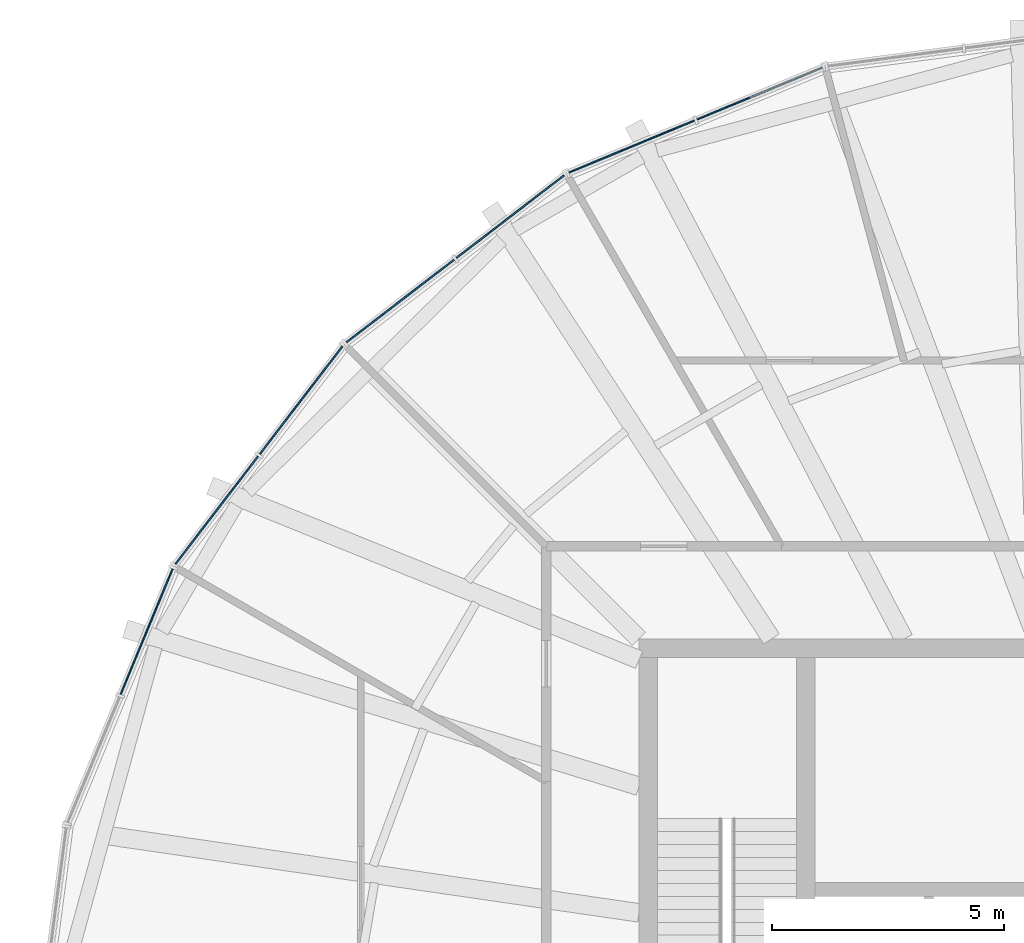
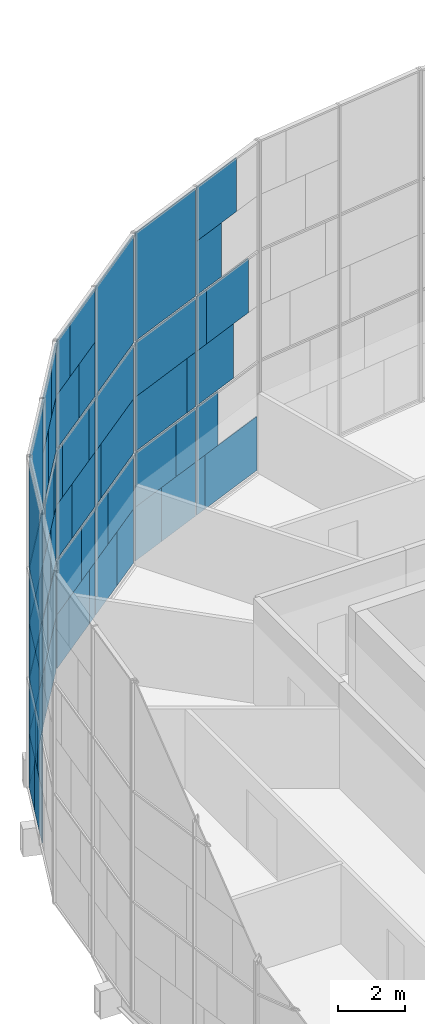
# One storey, part 16 of 23: 66 plates, 4 elements without a shape of their own.
"""IFC4 building model written with IfcOpenShell, lengths in metres."""

from ifc_helpers import new_model, si_unit, direction, frame, origin, origin_2d, place, context, subcontext, project, spatial, rectangle, extrude, material, layer, layer_set, type_object, element, aggregate, save


model = new_model("IFC4")

# Units and contexts
model_context = context("Model", 3, precision=1e-05, world=origin(), true_north=direction((0.0, 1.0)))
body_context = subcontext(model_context, "Body", "Model", "MODEL_VIEW")
ifc_project = project(units=[si_unit("LENGTHUNIT", "METRE"), si_unit("AREAUNIT", "SQUARE_METRE"), si_unit("VOLUMEUNIT", "CUBIC_METRE"), si_unit("PLANEANGLEUNIT", "RADIAN"), si_unit("MASSUNIT", "GRAM", prefix="KILO")], contexts=[model_context])

# Site, building, storey
site_placement = place(None, origin())
site = spatial("IfcSite", under=ifc_project, at=site_placement, CompositionType="ELEMENT")
building_placement = place(site_placement, origin())
building = spatial("IfcBuilding", under=site, at=building_placement, Name="Golbaran Civic Tower", CompositionType="ELEMENT")
storey_placement = place(building_placement, frame((0.0, 0.0, 220.0)))
storey = spatial("IfcBuildingStorey", under=building, at=storey_placement, Name="L53", CompositionType="ELEMENT", Elevation=220.0)

# Curtain wall, plates
ifc_material_1 = material(Name="Aluminium and glass", Category="aluminium")
curtain_wall_type = type_object("IfcCurtainWallType", Name="INNER SKIN CURTAIN WALL EXECUTIVE", PredefinedType="NOTDEFINED", material=ifc_material_1)
curtain_wall_1_placement = place(storey_placement, origin())
curtain_wall_1 = element("IfcCurtainWall", 1, at=curtain_wall_1_placement, inside=storey, type_object=curtain_wall_type, Name="Inner skin L53 facet 8 CW2", ObjectType="INNER SKIN", PredefinedType="USERDEFINED")
ifc_material_2 = material(Name="Clear insulating glass", Category="glass")
ifc_layer_1 = layer(ifc_material_2, 0.031982421875, Name="Clear insulating glass")
ifc_layer_set_1 = layer_set([ifc_layer_1], Name="Clear insulating glass")
plate_type_1 = type_object("IfcPlateType", Name="INNER SKIN CURTAIN WALL EXECUTIVE GLAZED PANEL", PredefinedType="CURTAIN_PANEL", material=ifc_layer_set_1)
plate_1_placement = place(storey_placement, frame((-7.210693359375, 21.839111328125, 0.06005859375), z_axis=(0.0, 0.0, 1.0), x_axis=(-0.923879532531, -0.382683432317, 0.0)))
plate_1 = element("IfcPlate", 2, at=plate_1_placement, type_object=plate_type_1, Name="CW2 panel 1.1 part 1", PredefinedType="CURTAIN_PANEL", context=body_context, shape_type="SweptSolid", body=[
    extrude(rectangle(XDim=2.528076171875, YDim=0.031982421875, at=origin_2d()), origin(), (0.0, 0.0, 1.0), 1.955078125),
])
plate_2_placement = place(storey_placement, frame((-8.533203125, 21.291259765625, 6.0), z_axis=(0.0, 0.0, 1.0), x_axis=(-0.923879532531, -0.382683432317, 0.0)))
plate_2 = element("IfcPlate", 3, at=plate_2_placement, type_object=plate_type_1, Name="CW2 panel 1.2 part 5", PredefinedType="CURTAIN_PANEL", context=body_context, shape_type="SweptSolid", body=[
    extrude(rectangle(XDim=0.468505859375, YDim=0.031982421875, at=origin_2d()), origin(), (0.0, 0.0, 1.0), 1.969970703125),
])
plate_3_placement = place(storey_placement, frame((-8.1865234375, 21.434814453125, 8.030029296875), z_axis=(0.0, 0.0, 1.0), x_axis=(-0.923879532531, -0.382683432317, 0.0)))
plate_3 = element("IfcPlate", 4, at=plate_3_placement, type_object=plate_type_1, Name="CW2 panel 1.3 part 2", PredefinedType="CURTAIN_PANEL", context=body_context, shape_type="SweptSolid", body=[
    extrude(rectangle(XDim=1.218505859375, YDim=0.031982421875, at=origin_2d()), origin(), (0.0, 0.0, 1.0), 1.955078125),
])
plate_4_placement = place(storey_placement, frame((-7.8525390625, 21.5732421875, 9.98486328125), z_axis=(0.0, 0.0, 1.0), x_axis=(-0.923879532531, -0.382683432317, 0.0)))
plate_4 = element("IfcPlate", 5, at=plate_4_placement, type_object=plate_type_1, Name="CW2 panel 1.3 part 4", PredefinedType="CURTAIN_PANEL", context=body_context, shape_type="SweptSolid", body=[
    extrude(rectangle(XDim=1.941650390625, YDim=0.031982421875, at=origin_2d()), origin(), (0.0, 0.0, 1.0), 1.955078125),
])
plate_5_placement = place(storey_placement, frame((-10.927490234375, 20.299560546875, 0.06005859375), z_axis=(0.0, 0.0, 1.0), x_axis=(-0.923879532531, -0.382683432317, 0.0)))
plate_5 = element("IfcPlate", 6, at=plate_5_placement, type_object=plate_type_1, Name="CW2 panel 2.1 part 2", PredefinedType="CURTAIN_PANEL", context=body_context, shape_type="SweptSolid", body=[
    extrude(rectangle(XDim=1.2646484375, YDim=0.031982421875, at=origin_2d()), origin(), (0.0, 0.0, 1.0), 1.955078125),
])
plate_6_placement = place(storey_placement, frame((-10.593994140625, 20.437744140625, 2.014892578125), z_axis=(0.0, 0.0, 1.0), x_axis=(-0.923879532531, -0.382683432317, 0.0)))
plate_6 = element("IfcPlate", 7, at=plate_6_placement, type_object=plate_type_1, Name="CW2 panel 2.1 part 4", PredefinedType="CURTAIN_PANEL", context=body_context, shape_type="SweptSolid", body=[
    extrude(rectangle(XDim=1.986572265625, YDim=0.031982421875, at=origin_2d()), origin(), (0.0, 0.0, 1.0), 1.955078125),
])
plate_7_placement = place(storey_placement, frame((-10.343505859375, 20.54150390625, 4.02978515625), z_axis=(0.0, 0.0, 1.0), x_axis=(-0.923879532531, -0.382683432317, 0.0)))
plate_7 = element("IfcPlate", 8, at=plate_7_placement, type_object=plate_type_1, Name="CW2 panel 2.2 part 2", PredefinedType="CURTAIN_PANEL", context=body_context, shape_type="SweptSolid", body=[
    extrude(rectangle(XDim=2.528564453125, YDim=0.031982421875, at=origin_2d()), origin(), (0.0, 0.0, 1.0), 1.969970703125),
])
plate_8_placement = place(storey_placement, frame((-10.158203125, 20.6181640625, 6.0), z_axis=(0.0, 0.0, 1.0), x_axis=(-0.923879532531, -0.382683432317, 0.0)))
plate_8 = element("IfcPlate", 9, at=plate_8_placement, type_object=plate_type_1, Name="CW2 panel 2.2 part 3", PredefinedType="CURTAIN_PANEL", context=body_context, shape_type="SweptSolid", body=[
    extrude(rectangle(XDim=2.9296875, YDim=0.031982421875, at=origin_2d()), origin(), (0.0, 0.0, 1.0), 1.969970703125),
])
plate_9_placement = place(storey_placement, frame((-10.158203125, 20.6181640625, 8.0302734375), z_axis=(0.0, 0.0, 1.0), x_axis=(-0.923879532531, -0.382683432317, 0.0)))
plate_9 = element("IfcPlate", 10, at=plate_9_placement, type_object=plate_type_1, Name="CW2 panel 2.3", PredefinedType="CURTAIN_PANEL", context=body_context, shape_type="SweptSolid", body=[
    extrude(rectangle(XDim=2.9296875, YDim=0.031982421875, at=origin_2d()), origin(), (0.0, 0.0, 1.0), 3.909912109375),
])

curtain_wall_2_placement = place(storey_placement, origin())
curtain_wall_2 = element("IfcCurtainWall", 11, at=curtain_wall_2_placement, inside=storey, type_object=curtain_wall_type, Name="Inner skin L53 facet 9 CW2", ObjectType="INNER SKIN", PredefinedType="USERDEFINED")
plate_10_placement = place(storey_placement, frame((-12.115966796875, 19.61328125, 0.06005859375), z_axis=(0.0, 0.0, 1.0), x_axis=(-0.793353340312, -0.608761428981, 0.0)))
plate_10 = element("IfcPlate", 12, at=plate_10_placement, type_object=plate_type_1, Name="CW2 panel 1.1 part 1", PredefinedType="CURTAIN_PANEL", context=body_context, shape_type="SweptSolid", body=[
    extrude(rectangle(XDim=1.263916015625, YDim=0.031982421875, at=origin_2d()), origin(), (0.0, 0.0, 1.0), 1.955078125),
])
plate_11_placement = place(storey_placement, frame((-12.40283203125, 19.393310546875, 2.014892578125), z_axis=(0.0, 0.0, 1.0), x_axis=(-0.793353340312, -0.608761428981, 0.0)))
plate_11 = element("IfcPlate", 13, at=plate_11_placement, type_object=plate_type_1, Name="CW2 panel 1.1 part 3", PredefinedType="CURTAIN_PANEL", context=body_context, shape_type="SweptSolid", body=[
    extrude(rectangle(XDim=1.987060546875, YDim=0.031982421875, at=origin_2d()), origin(), (0.0, 0.0, 1.0), 1.955078125),
])
plate_12_placement = place(storey_placement, frame((-12.617431640625, 19.228515625, 4.02978515625), z_axis=(0.0, 0.0, 1.0), x_axis=(-0.793353340312, -0.608761428981, 0.0)))
plate_12 = element("IfcPlate", 14, at=plate_12_placement, type_object=plate_type_1, Name="CW2 panel 1.2 part 1", PredefinedType="CURTAIN_PANEL", context=body_context, shape_type="SweptSolid", body=[
    extrude(rectangle(XDim=2.528076171875, YDim=0.031982421875, at=origin_2d()), origin(), (0.0, 0.0, 1.0), 1.969970703125),
])
plate_13_placement = place(storey_placement, frame((-12.776611328125, 19.1064453125, 6.0), z_axis=(0.0, 0.0, 1.0), x_axis=(-0.793353340312, -0.608761428981, 0.0)))
plate_13 = element("IfcPlate", 15, at=plate_13_placement, type_object=plate_type_1, Name="CW2 panel 1.2 part 3", PredefinedType="CURTAIN_PANEL", context=body_context, shape_type="SweptSolid", body=[
    extrude(rectangle(XDim=2.9296875, YDim=0.031982421875, at=origin_2d()), origin(), (0.0, 0.0, 1.0), 1.969970703125),
])
plate_14_placement = place(storey_placement, frame((-12.776611328125, 19.1064453125, 8.0302734375), z_axis=(0.0, 0.0, 1.0), x_axis=(-0.793353340312, -0.608761428981, 0.0)))
plate_14 = element("IfcPlate", 16, at=plate_14_placement, type_object=plate_type_1, Name="CW2 panel 1.3", PredefinedType="CURTAIN_PANEL", context=body_context, shape_type="SweptSolid", body=[
    extrude(rectangle(XDim=2.9296875, YDim=0.031982421875, at=origin_2d()), origin(), (0.0, 0.0, 1.0), 3.909912109375),
])
plate_15_placement = place(storey_placement, frame((-15.30712890625, 17.164794921875, 0.06005859375), z_axis=(0.0, 0.0, 1.0), x_axis=(-0.793353340312, -0.608761428981, 0.0)))
plate_15 = element("IfcPlate", 17, at=plate_15_placement, type_object=plate_type_1, Name="CW2 panel 2.1 part 2", PredefinedType="CURTAIN_PANEL", context=body_context, shape_type="SweptSolid", body=[
    extrude(rectangle(XDim=2.529541015625, YDim=0.031982421875, at=origin_2d()), origin(), (0.0, 0.0, 1.0), 1.955078125),
])
plate_16_placement = place(storey_placement, frame((-15.56103515625, 16.969970703125, 2.014892578125), z_axis=(0.0, 0.0, 1.0), x_axis=(-0.793353340312, -0.608761428981, 0.0)))
plate_16 = element("IfcPlate", 18, at=plate_16_placement, type_object=plate_type_1, Name="CW2 panel 2.1 part 4", PredefinedType="CURTAIN_PANEL", context=body_context, shape_type="SweptSolid", body=[
    extrude(rectangle(XDim=1.8896484375, YDim=0.031982421875, at=origin_2d()), origin(), (0.0, 0.0, 1.0), 1.955078125),
])
plate_17_placement = place(storey_placement, frame((-15.858642578125, 16.74169921875, 4.02978515625), z_axis=(0.0, 0.0, 1.0), x_axis=(-0.793353340312, -0.608761428981, 0.0)))
plate_17 = element("IfcPlate", 19, at=plate_17_placement, type_object=plate_type_1, Name="CW2 panel 2.2 part 2", PredefinedType="CURTAIN_PANEL", context=body_context, shape_type="SweptSolid", body=[
    extrude(rectangle(XDim=1.1396484375, YDim=0.031982421875, at=origin_2d()), origin(), (0.0, 0.0, 1.0), 1.969970703125),
])
plate_18_placement = place(storey_placement, frame((-14.17236328125, 18.035400390625, 6.0), z_axis=(0.0, 0.0, 1.0), x_axis=(-0.793353340312, -0.608761428981, 0.0)))
plate_18 = element("IfcPlate", 20, at=plate_18_placement, type_object=plate_type_1, Name="CW2 panel 2.2 part 3", PredefinedType="CURTAIN_PANEL", context=body_context, shape_type="SweptSolid", body=[
    extrude(rectangle(XDim=0.468994140625, YDim=0.031982421875, at=origin_2d()), origin(), (0.0, 0.0, 1.0), 1.969970703125),
])
plate_19_placement = place(storey_placement, frame((-16.147216796875, 16.52001953125, 6.0), z_axis=(0.0, 0.0, 1.0), x_axis=(-0.793353340312, -0.608761428981, 0.0)))
plate_19 = element("IfcPlate", 21, at=plate_19_placement, type_object=plate_type_1, Name="CW2 panel 2.2 part 5", PredefinedType="CURTAIN_PANEL", context=body_context, shape_type="SweptSolid", body=[
    extrude(rectangle(XDim=0.41162109375, YDim=0.031982421875, at=origin_2d()), origin(), (0.0, 0.0, 1.0), 1.969970703125),
])
plate_20_placement = place(storey_placement, frame((-14.469970703125, 17.80712890625, 8.030029296875), z_axis=(0.0, 0.0, 1.0), x_axis=(-0.793353340312, -0.608761428981, 0.0)))
plate_20 = element("IfcPlate", 22, at=plate_20_placement, type_object=plate_type_1, Name="CW2 panel 2.3 part 1", PredefinedType="CURTAIN_PANEL", context=body_context, shape_type="SweptSolid", body=[
    extrude(rectangle(XDim=1.218994140625, YDim=0.031982421875, at=origin_2d()), origin(), (0.0, 0.0, 1.0), 1.955078125),
])
plate_21_placement = place(storey_placement, frame((-14.75634765625, 17.58740234375, 9.98486328125), z_axis=(0.0, 0.0, 1.0), x_axis=(-0.793353340312, -0.608761428981, 0.0)))
plate_21 = element("IfcPlate", 23, at=plate_21_placement, type_object=plate_type_1, Name="CW2 panel 2.3 part 3", PredefinedType="CURTAIN_PANEL", context=body_context, shape_type="SweptSolid", body=[
    extrude(rectangle(XDim=1.94091796875, YDim=0.031982421875, at=origin_2d()), origin(), (0.0, 0.0, 1.0), 1.955078125),
])

curtain_wall_3_placement = place(storey_placement, origin())
curtain_wall_3 = element("IfcCurtainWall", 24, at=curtain_wall_3_placement, inside=storey, type_object=curtain_wall_type, Name="Inner skin L53 facet 10 CW2", ObjectType="INNER SKIN", PredefinedType="USERDEFINED")
plate_22_placement = place(storey_placement, frame((-17.164306640625, 15.307861328125, 0.06005859375), z_axis=(0.0, 0.0, 1.0), x_axis=(-0.608761428981, -0.793353340312, 0.0)))
plate_22 = element("IfcPlate", 25, at=plate_22_placement, type_object=plate_type_1, Name="CW2 panel 1.1 part 1", PredefinedType="CURTAIN_PANEL", context=body_context, shape_type="SweptSolid", body=[
    extrude(rectangle(XDim=2.528076171875, YDim=0.031982421875, at=origin_2d()), origin(), (0.0, 0.0, 1.0), 1.955078125),
])
plate_23_placement = place(storey_placement, frame((-16.9697265625, 15.561279296875, 2.014892578125), z_axis=(0.0, 0.0, 1.0), x_axis=(-0.608761428981, -0.793353340312, 0.0)))
plate_23 = element("IfcPlate", 26, at=plate_23_placement, type_object=plate_type_1, Name="CW2 panel 1.1 part 3", PredefinedType="CURTAIN_PANEL", context=body_context, shape_type="SweptSolid", body=[
    extrude(rectangle(XDim=1.888916015625, YDim=0.031982421875, at=origin_2d()), origin(), (0.0, 0.0, 1.0), 1.955078125),
])
plate_24_placement = place(storey_placement, frame((-16.741455078125, 15.85888671875, 4.02978515625), z_axis=(0.0, 0.0, 1.0), x_axis=(-0.608761428981, -0.793353340312, 0.0)))
plate_24 = element("IfcPlate", 27, at=plate_24_placement, type_object=plate_type_1, Name="CW2 panel 1.2 part 1", PredefinedType="CURTAIN_PANEL", context=body_context, shape_type="SweptSolid", body=[
    extrude(rectangle(XDim=1.138916015625, YDim=0.031982421875, at=origin_2d()), origin(), (0.0, 0.0, 1.0), 1.969970703125),
])
plate_25_placement = place(storey_placement, frame((-16.52001953125, 16.147216796875, 6.0), z_axis=(0.0, 0.0, 1.0), x_axis=(-0.608761428981, -0.793353340312, 0.0)))
plate_25 = element("IfcPlate", 28, at=plate_25_placement, type_object=plate_type_1, Name="CW2 panel 1.2 part 3", PredefinedType="CURTAIN_PANEL", context=body_context, shape_type="SweptSolid", body=[
    extrude(rectangle(XDim=0.412109375, YDim=0.031982421875, at=origin_2d()), origin(), (0.0, 0.0, 1.0), 1.969970703125),
])
plate_26_placement = place(storey_placement, frame((-18.03564453125, 14.17236328125, 6.0), z_axis=(0.0, 0.0, 1.0), x_axis=(-0.608761428981, -0.793353340312, 0.0)))
plate_26 = element("IfcPlate", 29, at=plate_26_placement, type_object=plate_type_1, Name="CW2 panel 1.2 part 5", PredefinedType="CURTAIN_PANEL", context=body_context, shape_type="SweptSolid", body=[
    extrude(rectangle(XDim=0.468505859375, YDim=0.031982421875, at=origin_2d()), origin(), (0.0, 0.0, 1.0), 1.969970703125),
])
plate_27_placement = place(storey_placement, frame((-17.80712890625, 14.4697265625, 8.030029296875), z_axis=(0.0, 0.0, 1.0), x_axis=(-0.608761428981, -0.793353340312, 0.0)))
plate_27 = element("IfcPlate", 30, at=plate_27_placement, type_object=plate_type_1, Name="CW2 panel 1.3 part 2", PredefinedType="CURTAIN_PANEL", context=body_context, shape_type="SweptSolid", body=[
    extrude(rectangle(XDim=1.218505859375, YDim=0.031982421875, at=origin_2d()), origin(), (0.0, 0.0, 1.0), 1.955078125),
])
plate_28_placement = place(storey_placement, frame((-17.587158203125, 14.756591796875, 9.98486328125), z_axis=(0.0, 0.0, 1.0), x_axis=(-0.608761428981, -0.793353340312, 0.0)))
plate_28 = element("IfcPlate", 31, at=plate_28_placement, type_object=plate_type_1, Name="CW2 panel 1.3 part 4", PredefinedType="CURTAIN_PANEL", context=body_context, shape_type="SweptSolid", body=[
    extrude(rectangle(XDim=1.941650390625, YDim=0.031982421875, at=origin_2d()), origin(), (0.0, 0.0, 1.0), 1.955078125),
])
plate_29_placement = place(storey_placement, frame((-19.61328125, 12.1162109375, 0.06005859375), z_axis=(0.0, 0.0, 1.0), x_axis=(-0.608761428981, -0.793353340312, 0.0)))
plate_29 = element("IfcPlate", 32, at=plate_29_placement, type_object=plate_type_1, Name="CW2 panel 2.1 part 2", PredefinedType="CURTAIN_PANEL", context=body_context, shape_type="SweptSolid", body=[
    extrude(rectangle(XDim=1.2646484375, YDim=0.031982421875, at=origin_2d()), origin(), (0.0, 0.0, 1.0), 1.955078125),
])
plate_30_placement = place(storey_placement, frame((-19.393310546875, 12.402587890625, 2.014892578125), z_axis=(0.0, 0.0, 1.0), x_axis=(-0.608761428981, -0.793353340312, 0.0)))
plate_30 = element("IfcPlate", 33, at=plate_30_placement, type_object=plate_type_1, Name="CW2 panel 2.1 part 4", PredefinedType="CURTAIN_PANEL", context=body_context, shape_type="SweptSolid", body=[
    extrude(rectangle(XDim=1.986572265625, YDim=0.031982421875, at=origin_2d()), origin(), (0.0, 0.0, 1.0), 1.955078125),
])
plate_31_placement = place(storey_placement, frame((-19.228515625, 12.61767578125, 4.02978515625), z_axis=(0.0, 0.0, 1.0), x_axis=(-0.608761428981, -0.793353340312, 0.0)))
plate_31 = element("IfcPlate", 34, at=plate_31_placement, type_object=plate_type_1, Name="CW2 panel 2.2 part 2", PredefinedType="CURTAIN_PANEL", context=body_context, shape_type="SweptSolid", body=[
    extrude(rectangle(XDim=2.528564453125, YDim=0.031982421875, at=origin_2d()), origin(), (0.0, 0.0, 1.0), 1.969970703125),
])
plate_32_placement = place(storey_placement, frame((-19.1064453125, 12.776611328125, 6.0), z_axis=(0.0, 0.0, 1.0), x_axis=(-0.608761428981, -0.793353340312, 0.0)))
plate_32 = element("IfcPlate", 35, at=plate_32_placement, type_object=plate_type_1, Name="CW2 panel 2.2 part 3", PredefinedType="CURTAIN_PANEL", context=body_context, shape_type="SweptSolid", body=[
    extrude(rectangle(XDim=2.9296875, YDim=0.031982421875, at=origin_2d()), origin(), (0.0, 0.0, 1.0), 1.969970703125),
])
plate_33_placement = place(storey_placement, frame((-19.1064453125, 12.776611328125, 8.0302734375), z_axis=(0.0, 0.0, 1.0), x_axis=(-0.608761428981, -0.793353340312, 0.0)))
plate_33 = element("IfcPlate", 36, at=plate_33_placement, type_object=plate_type_1, Name="CW2 panel 2.3", PredefinedType="CURTAIN_PANEL", context=body_context, shape_type="SweptSolid", body=[
    extrude(rectangle(XDim=2.9296875, YDim=0.031982421875, at=origin_2d()), origin(), (0.0, 0.0, 1.0), 3.909912109375),
])

curtain_wall_4_placement = place(storey_placement, origin())
curtain_wall_4 = element("IfcCurtainWall", 37, at=curtain_wall_4_placement, inside=storey, type_object=curtain_wall_type, Name="Inner skin L53 facet 11 CW2", ObjectType="INNER SKIN", PredefinedType="USERDEFINED")
plate_34_placement = place(storey_placement, frame((-20.299560546875, 10.927734375, 0.06005859375), z_axis=(0.0, 0.0, 1.0), x_axis=(-0.382683432317, -0.923879532531, 0.0)))
plate_34 = element("IfcPlate", 38, at=plate_34_placement, type_object=plate_type_1, Name="CW2 panel 1.1 part 1", PredefinedType="CURTAIN_PANEL", context=body_context, shape_type="SweptSolid", body=[
    extrude(rectangle(XDim=1.263916015625, YDim=0.031982421875, at=origin_2d()), origin(), (0.0, 0.0, 1.0), 1.955078125),
])
plate_35_placement = place(storey_placement, frame((-20.437744140625, 10.59375, 2.014892578125), z_axis=(0.0, 0.0, 1.0), x_axis=(-0.382683432317, -0.923879532531, 0.0)))
plate_35 = element("IfcPlate", 39, at=plate_35_placement, type_object=plate_type_1, Name="CW2 panel 1.1 part 3", PredefinedType="CURTAIN_PANEL", context=body_context, shape_type="SweptSolid", body=[
    extrude(rectangle(XDim=1.987060546875, YDim=0.031982421875, at=origin_2d()), origin(), (0.0, 0.0, 1.0), 1.955078125),
])
plate_36_placement = place(storey_placement, frame((-20.541259765625, 10.34375, 4.02978515625), z_axis=(0.0, 0.0, 1.0), x_axis=(-0.382683432317, -0.923879532531, 0.0)))
plate_36 = element("IfcPlate", 40, at=plate_36_placement, type_object=plate_type_1, Name="CW2 panel 1.2 part 1", PredefinedType="CURTAIN_PANEL", context=body_context, shape_type="SweptSolid", body=[
    extrude(rectangle(XDim=2.528076171875, YDim=0.031982421875, at=origin_2d()), origin(), (0.0, 0.0, 1.0), 1.969970703125),
])
plate_37_placement = place(storey_placement, frame((-20.6181640625, 10.158203125, 6.0), z_axis=(0.0, 0.0, 1.0), x_axis=(-0.382683432317, -0.923879532531, 0.0)))
plate_37 = element("IfcPlate", 41, at=plate_37_placement, type_object=plate_type_1, Name="CW2 panel 1.2 part 3", PredefinedType="CURTAIN_PANEL", context=body_context, shape_type="SweptSolid", body=[
    extrude(rectangle(XDim=2.9296875, YDim=0.031982421875, at=origin_2d()), origin(), (0.0, 0.0, 1.0), 1.969970703125),
])
plate_38_placement = place(storey_placement, frame((-20.6181640625, 10.158203125, 8.0302734375), z_axis=(0.0, 0.0, 1.0), x_axis=(-0.382683432317, -0.923879532531, 0.0)))
plate_38 = element("IfcPlate", 42, at=plate_38_placement, type_object=plate_type_1, Name="CW2 panel 1.3", PredefinedType="CURTAIN_PANEL", context=body_context, shape_type="SweptSolid", body=[
    extrude(rectangle(XDim=2.9296875, YDim=0.031982421875, at=origin_2d()), origin(), (0.0, 0.0, 1.0), 3.909912109375),
])

# Plate
ifc_material_3 = material(Name="Aluminium faced opaque infill panel", Category="aluminium")
ifc_layer_2 = layer(ifc_material_3, 0.031982421875, Name="Aluminium faced opaque infill panel")
ifc_layer_set_2 = layer_set([ifc_layer_2], Name="Aluminium faced opaque infill panel")
plate_type_2 = type_object("IfcPlateType", Name="INNER SKIN CURTAIN WALL EXECUTIVE OPAQUE INFILL PANEL", PredefinedType="CURTAIN_PANEL", material=ifc_layer_set_2)
plate_39_placement = place(storey_placement, frame((-8.56396484375, 21.278564453125, 0.06005859375), z_axis=(0.0, 0.0, 1.0), x_axis=(-0.923879532531, -0.382683432317, 0.0)))
plate_39 = element("IfcPlate", 43, at=plate_39_placement, type_object=plate_type_2, Name="CW2 infill panel 1.1 part 2", PredefinedType="CURTAIN_PANEL", context=body_context, shape_type="SweptSolid", body=[
    extrude(rectangle(XDim=0.401611328125, YDim=0.031982421875, at=origin_2d()), origin(), (0.0, 0.0, 1.0), 1.955078125),
])

plate_40_placement = place(storey_placement, frame((-8.268798828125, 21.40087890625, 2.014892578125), z_axis=(0.0, 0.0, 1.0), x_axis=(-0.923879532531, -0.382683432317, 0.0)))
plate_40 = element("IfcPlate", 44, at=plate_40_placement, type_object=plate_type_2, Name="CW2 infill panel 1.1 part 4", PredefinedType="CURTAIN_PANEL", context=body_context, shape_type="SweptSolid", body=[
    extrude(rectangle(XDim=1.04052734375, YDim=0.031982421875, at=origin_2d()), origin(), (0.0, 0.0, 1.0), 1.955078125),
])

plate_41_placement = place(storey_placement, frame((-7.92236328125, 21.544189453125, 4.02978515625), z_axis=(0.0, 0.0, 1.0), x_axis=(-0.923879532531, -0.382683432317, 0.0)))
plate_41 = element("IfcPlate", 45, at=plate_41_placement, type_object=plate_type_2, Name="CW2 infill panel 1.2 part 2", PredefinedType="CURTAIN_PANEL", context=body_context, shape_type="SweptSolid", body=[
    extrude(rectangle(XDim=1.79052734375, YDim=0.031982421875, at=origin_2d()), origin(), (0.0, 0.0, 1.0), 1.969970703125),
])

plate_42_placement = place(storey_placement, frame((-7.3701171875, 21.77294921875, 6.0), z_axis=(0.0, 0.0, 1.0), x_axis=(-0.923879532531, -0.382683432317, 0.0)))
plate_42 = element("IfcPlate", 46, at=plate_42_placement, type_object=plate_type_2, Name="CW2 infill panel 1.2 part 4", PredefinedType="CURTAIN_PANEL", context=body_context, shape_type="SweptSolid", body=[
    extrude(rectangle(XDim=2.049072265625, YDim=0.031982421875, at=origin_2d()), origin(), (0.0, 0.0, 1.0), 1.969970703125),
])

plate_43_placement = place(storey_placement, frame((-9.57421875, 20.860107421875, 0.06005859375), z_axis=(0.0, 0.0, 1.0), x_axis=(-0.923879532531, -0.382683432317, 0.0)))
plate_43 = element("IfcPlate", 47, at=plate_43_placement, type_object=plate_type_2, Name="CW2 infill panel 2.1 part 1", PredefinedType="CURTAIN_PANEL", context=body_context, shape_type="SweptSolid", body=[
    extrude(rectangle(XDim=1.6650390625, YDim=0.031982421875, at=origin_2d()), origin(), (0.0, 0.0, 1.0), 1.955078125),
])

plate_44_placement = place(storey_placement, frame((-9.240478515625, 20.998291015625, 2.014892578125), z_axis=(0.0, 0.0, 1.0), x_axis=(-0.923879532531, -0.382683432317, 0.0)))
plate_44 = element("IfcPlate", 48, at=plate_44_placement, type_object=plate_type_2, Name="CW2 infill panel 2.1 part 3", PredefinedType="CURTAIN_PANEL", context=body_context, shape_type="SweptSolid", body=[
    extrude(rectangle(XDim=0.943115234375, YDim=0.031982421875, at=origin_2d()), origin(), (0.0, 0.0, 1.0), 1.955078125),
])

plate_45_placement = place(storey_placement, frame((-8.990234375, 21.10205078125, 4.02978515625), z_axis=(0.0, 0.0, 1.0), x_axis=(-0.923879532531, -0.382683432317, 0.0)))
plate_45 = element("IfcPlate", 49, at=plate_45_placement, type_object=plate_type_2, Name="CW2 infill panel 2.2 part 1", PredefinedType="CURTAIN_PANEL", context=body_context, shape_type="SweptSolid", body=[
    extrude(rectangle(XDim=0.40087890625, YDim=0.031982421875, at=origin_2d()), origin(), (0.0, 0.0, 1.0), 1.969970703125),
])

aggregate(curtain_wall_1, [plate_1, plate_39, plate_40, plate_41, plate_42, plate_2, plate_3, plate_4, plate_43, plate_5, plate_44, plate_6, plate_45, plate_7, plate_8, plate_9])

plate_46_placement = place(storey_placement, frame((-13.278076171875, 18.7216796875, 0.06005859375), z_axis=(0.0, 0.0, 1.0), x_axis=(-0.793353340312, -0.608761428981, 0.0)))
plate_46 = element("IfcPlate", 50, at=plate_46_placement, type_object=plate_type_2, Name="CW2 infill panel 1.1 part 2", PredefinedType="CURTAIN_PANEL", context=body_context, shape_type="SweptSolid", body=[
    extrude(rectangle(XDim=1.66552734375, YDim=0.031982421875, at=origin_2d()), origin(), (0.0, 0.0, 1.0), 1.955078125),
])

plate_47_placement = place(storey_placement, frame((-13.56494140625, 18.501708984375, 2.014892578125), z_axis=(0.0, 0.0, 1.0), x_axis=(-0.793353340312, -0.608761428981, 0.0)))
plate_47 = element("IfcPlate", 51, at=plate_47_placement, type_object=plate_type_2, Name="CW2 infill panel 1.1 part 4", PredefinedType="CURTAIN_PANEL", context=body_context, shape_type="SweptSolid", body=[
    extrude(rectangle(XDim=0.942626953125, YDim=0.031982421875, at=origin_2d()), origin(), (0.0, 0.0, 1.0), 1.955078125),
])

plate_48_placement = place(storey_placement, frame((-13.779541015625, 18.3369140625, 4.02978515625), z_axis=(0.0, 0.0, 1.0), x_axis=(-0.793353340312, -0.608761428981, 0.0)))
plate_48 = element("IfcPlate", 52, at=plate_48_placement, type_object=plate_type_2, Name="CW2 infill panel 1.2 part 2", PredefinedType="CURTAIN_PANEL", context=body_context, shape_type="SweptSolid", body=[
    extrude(rectangle(XDim=0.401611328125, YDim=0.031982421875, at=origin_2d()), origin(), (0.0, 0.0, 1.0), 1.969970703125),
])

plate_49_placement = place(storey_placement, frame((-14.14501953125, 18.056396484375, 0.06005859375), z_axis=(0.0, 0.0, 1.0), x_axis=(-0.793353340312, -0.608761428981, 0.0)))
plate_49 = element("IfcPlate", 53, at=plate_49_placement, type_object=plate_type_2, Name="CW2 infill panel 2.1 part 1", PredefinedType="CURTAIN_PANEL", context=body_context, shape_type="SweptSolid", body=[
    extrude(rectangle(XDim=0.39990234375, YDim=0.031982421875, at=origin_2d()), origin(), (0.0, 0.0, 1.0), 1.955078125),
])

plate_50_placement = place(storey_placement, frame((-14.39892578125, 17.861572265625, 2.014892578125), z_axis=(0.0, 0.0, 1.0), x_axis=(-0.793353340312, -0.608761428981, 0.0)))
plate_50 = element("IfcPlate", 54, at=plate_50_placement, type_object=plate_type_2, Name="CW2 infill panel 2.1 part 3", PredefinedType="CURTAIN_PANEL", context=body_context, shape_type="SweptSolid", body=[
    extrude(rectangle(XDim=1.0400390625, YDim=0.031982421875, at=origin_2d()), origin(), (0.0, 0.0, 1.0), 1.955078125),
])

plate_51_placement = place(storey_placement, frame((-14.696533203125, 17.63330078125, 4.02978515625), z_axis=(0.0, 0.0, 1.0), x_axis=(-0.793353340312, -0.608761428981, 0.0)))
plate_51 = element("IfcPlate", 55, at=plate_51_placement, type_object=plate_type_2, Name="CW2 infill panel 2.2 part 1", PredefinedType="CURTAIN_PANEL", context=body_context, shape_type="SweptSolid", body=[
    extrude(rectangle(XDim=1.7900390625, YDim=0.031982421875, at=origin_2d()), origin(), (0.0, 0.0, 1.0), 1.969970703125),
])

plate_52_placement = place(storey_placement, frame((-15.17138671875, 17.26904296875, 6.0), z_axis=(0.0, 0.0, 1.0), x_axis=(-0.793353340312, -0.608761428981, 0.0)))
plate_52 = element("IfcPlate", 56, at=plate_52_placement, type_object=plate_type_2, Name="CW2 infill panel 2.2 part 4", PredefinedType="CURTAIN_PANEL", context=body_context, shape_type="SweptSolid", body=[
    extrude(rectangle(XDim=2.049072265625, YDim=0.031982421875, at=origin_2d()), origin(), (0.0, 0.0, 1.0), 1.969970703125),
])

plate_53_placement = place(storey_placement, frame((-15.632080078125, 16.91552734375, 8.030029296875), z_axis=(0.0, 0.0, 1.0), x_axis=(-0.793353340312, -0.608761428981, 0.0)))
plate_53 = element("IfcPlate", 57, at=plate_53_placement, type_object=plate_type_2, Name="CW2 infill panel 2.3 part 2", PredefinedType="CURTAIN_PANEL", context=body_context, shape_type="SweptSolid", body=[
    extrude(rectangle(XDim=1.710693359375, YDim=0.031982421875, at=origin_2d()), origin(), (0.0, 0.0, 1.0), 1.955078125),
])

plate_54_placement = place(storey_placement, frame((-15.91845703125, 16.695556640625, 9.98486328125), z_axis=(0.0, 0.0, 1.0), x_axis=(-0.793353340312, -0.608761428981, 0.0)))
plate_54 = element("IfcPlate", 58, at=plate_54_placement, type_object=plate_type_2, Name="CW2 infill panel 2.3 part 4", PredefinedType="CURTAIN_PANEL", context=body_context, shape_type="SweptSolid", body=[
    extrude(rectangle(XDim=0.988525390625, YDim=0.031982421875, at=origin_2d()), origin(), (0.0, 0.0, 1.0), 1.955078125),
])

aggregate(curtain_wall_2, [plate_10, plate_46, plate_11, plate_47, plate_12, plate_48, plate_13, plate_14, plate_49, plate_15, plate_50, plate_16, plate_51, plate_17, plate_18, plate_52, plate_19, plate_20, plate_53, plate_21, plate_54])

plate_55_placement = place(storey_placement, frame((-18.055908203125, 14.145751953125, 0.06005859375), z_axis=(0.0, 0.0, 1.0), x_axis=(-0.608761428981, -0.793353340312, 0.0)))
plate_55 = element("IfcPlate", 59, at=plate_55_placement, type_object=plate_type_2, Name="CW2 infill panel 1.1 part 2", PredefinedType="CURTAIN_PANEL", context=body_context, shape_type="SweptSolid", body=[
    extrude(rectangle(XDim=0.401611328125, YDim=0.031982421875, at=origin_2d()), origin(), (0.0, 0.0, 1.0), 1.955078125),
])

plate_56_placement = place(storey_placement, frame((-17.861328125, 14.399169921875, 2.014892578125), z_axis=(0.0, 0.0, 1.0), x_axis=(-0.608761428981, -0.793353340312, 0.0)))
plate_56 = element("IfcPlate", 60, at=plate_56_placement, type_object=plate_type_2, Name="CW2 infill panel 1.1 part 4", PredefinedType="CURTAIN_PANEL", context=body_context, shape_type="SweptSolid", body=[
    extrude(rectangle(XDim=1.04052734375, YDim=0.031982421875, at=origin_2d()), origin(), (0.0, 0.0, 1.0), 1.955078125),
])

plate_57_placement = place(storey_placement, frame((-17.633056640625, 14.69677734375, 4.02978515625), z_axis=(0.0, 0.0, 1.0), x_axis=(-0.608761428981, -0.793353340312, 0.0)))
plate_57 = element("IfcPlate", 61, at=plate_57_placement, type_object=plate_type_2, Name="CW2 infill panel 1.2 part 2", PredefinedType="CURTAIN_PANEL", context=body_context, shape_type="SweptSolid", body=[
    extrude(rectangle(XDim=1.79052734375, YDim=0.031982421875, at=origin_2d()), origin(), (0.0, 0.0, 1.0), 1.969970703125),
])

plate_58_placement = place(storey_placement, frame((-17.269287109375, 15.1708984375, 6.0), z_axis=(0.0, 0.0, 1.0), x_axis=(-0.608761428981, -0.793353340312, 0.0)))
plate_58 = element("IfcPlate", 62, at=plate_58_placement, type_object=plate_type_2, Name="CW2 infill panel 1.2 part 4", PredefinedType="CURTAIN_PANEL", context=body_context, shape_type="SweptSolid", body=[
    extrude(rectangle(XDim=2.049072265625, YDim=0.031982421875, at=origin_2d()), origin(), (0.0, 0.0, 1.0), 1.969970703125),
])

plate_59_placement = place(storey_placement, frame((-16.91552734375, 15.6318359375, 8.030029296875), z_axis=(0.0, 0.0, 1.0), x_axis=(-0.608761428981, -0.793353340312, 0.0)))
plate_59 = element("IfcPlate", 63, at=plate_59_placement, type_object=plate_type_2, Name="CW2 infill panel 1.3 part 1", PredefinedType="CURTAIN_PANEL", context=body_context, shape_type="SweptSolid", body=[
    extrude(rectangle(XDim=1.7109375, YDim=0.031982421875, at=origin_2d()), origin(), (0.0, 0.0, 1.0), 1.955078125),
])

plate_60_placement = place(storey_placement, frame((-16.695556640625, 15.918701171875, 9.98486328125), z_axis=(0.0, 0.0, 1.0), x_axis=(-0.608761428981, -0.793353340312, 0.0)))
plate_60 = element("IfcPlate", 64, at=plate_60_placement, type_object=plate_type_2, Name="CW2 infill panel 1.3 part 3", PredefinedType="CURTAIN_PANEL", context=body_context, shape_type="SweptSolid", body=[
    extrude(rectangle(XDim=0.988037109375, YDim=0.031982421875, at=origin_2d()), origin(), (0.0, 0.0, 1.0), 1.955078125),
])

plate_61_placement = place(storey_placement, frame((-18.721435546875, 13.2783203125, 0.06005859375), z_axis=(0.0, 0.0, 1.0), x_axis=(-0.608761428981, -0.793353340312, 0.0)))
plate_61 = element("IfcPlate", 65, at=plate_61_placement, type_object=plate_type_2, Name="CW2 infill panel 2.1 part 1", PredefinedType="CURTAIN_PANEL", context=body_context, shape_type="SweptSolid", body=[
    extrude(rectangle(XDim=1.6650390625, YDim=0.031982421875, at=origin_2d()), origin(), (0.0, 0.0, 1.0), 1.955078125),
])

plate_62_placement = place(storey_placement, frame((-18.501708984375, 13.564697265625, 2.014892578125), z_axis=(0.0, 0.0, 1.0), x_axis=(-0.608761428981, -0.793353340312, 0.0)))
plate_62 = element("IfcPlate", 66, at=plate_62_placement, type_object=plate_type_2, Name="CW2 infill panel 2.1 part 3", PredefinedType="CURTAIN_PANEL", context=body_context, shape_type="SweptSolid", body=[
    extrude(rectangle(XDim=0.943115234375, YDim=0.031982421875, at=origin_2d()), origin(), (0.0, 0.0, 1.0), 1.955078125),
])

plate_63_placement = place(storey_placement, frame((-18.336669921875, 13.77978515625, 4.02978515625), z_axis=(0.0, 0.0, 1.0), x_axis=(-0.608761428981, -0.793353340312, 0.0)))
plate_63 = element("IfcPlate", 67, at=plate_63_placement, type_object=plate_type_2, Name="CW2 infill panel 2.2 part 1", PredefinedType="CURTAIN_PANEL", context=body_context, shape_type="SweptSolid", body=[
    extrude(rectangle(XDim=0.40087890625, YDim=0.031982421875, at=origin_2d()), origin(), (0.0, 0.0, 1.0), 1.969970703125),
])

aggregate(curtain_wall_3, [plate_22, plate_55, plate_23, plate_56, plate_24, plate_57, plate_25, plate_58, plate_26, plate_59, plate_27, plate_60, plate_28, plate_61, plate_29, plate_62, plate_30, plate_63, plate_31, plate_32, plate_33])

plate_64_placement = place(storey_placement, frame((-20.860107421875, 9.574462890625, 0.06005859375), z_axis=(0.0, 0.0, 1.0), x_axis=(-0.382683432317, -0.923879532531, 0.0)))
plate_64 = element("IfcPlate", 68, at=plate_64_placement, type_object=plate_type_2, Name="CW2 infill panel 1.1 part 2", PredefinedType="CURTAIN_PANEL", context=body_context, shape_type="SweptSolid", body=[
    extrude(rectangle(XDim=1.66552734375, YDim=0.031982421875, at=origin_2d()), origin(), (0.0, 0.0, 1.0), 1.955078125),
])

plate_65_placement = place(storey_placement, frame((-20.998291015625, 9.240478515625, 2.014892578125), z_axis=(0.0, 0.0, 1.0), x_axis=(-0.382683432317, -0.923879532531, 0.0)))
plate_65 = element("IfcPlate", 69, at=plate_65_placement, type_object=plate_type_2, Name="CW2 infill panel 1.1 part 4", PredefinedType="CURTAIN_PANEL", context=body_context, shape_type="SweptSolid", body=[
    extrude(rectangle(XDim=0.942626953125, YDim=0.031982421875, at=origin_2d()), origin(), (0.0, 0.0, 1.0), 1.955078125),
])

plate_66_placement = place(storey_placement, frame((-21.101806640625, 8.990478515625, 4.02978515625), z_axis=(0.0, 0.0, 1.0), x_axis=(-0.382683432317, -0.923879532531, 0.0)))
plate_66 = element("IfcPlate", 70, at=plate_66_placement, type_object=plate_type_2, Name="CW2 infill panel 1.2 part 2", PredefinedType="CURTAIN_PANEL", context=body_context, shape_type="SweptSolid", body=[
    extrude(rectangle(XDim=0.401611328125, YDim=0.031982421875, at=origin_2d()), origin(), (0.0, 0.0, 1.0), 1.969970703125),
])

aggregate(curtain_wall_4, [plate_34, plate_64, plate_35, plate_65, plate_36, plate_66, plate_37, plate_38])

save(model, "model.ifc")
